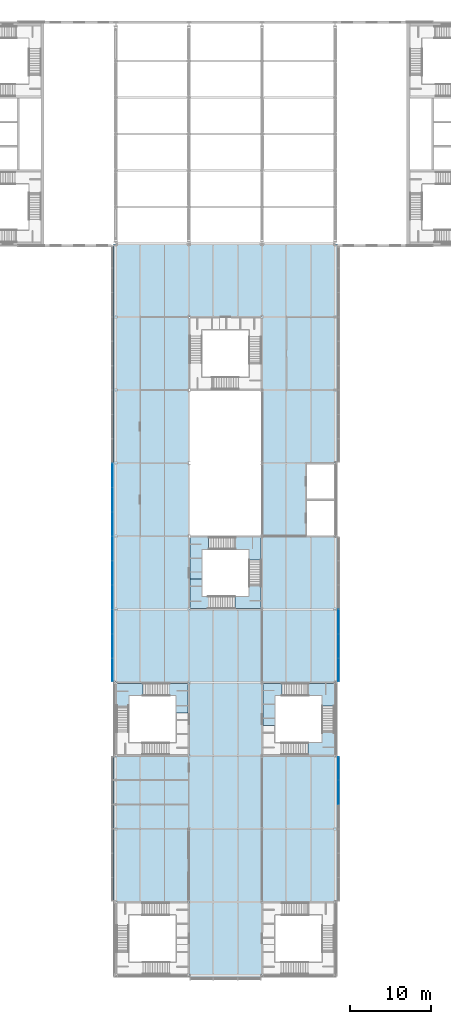
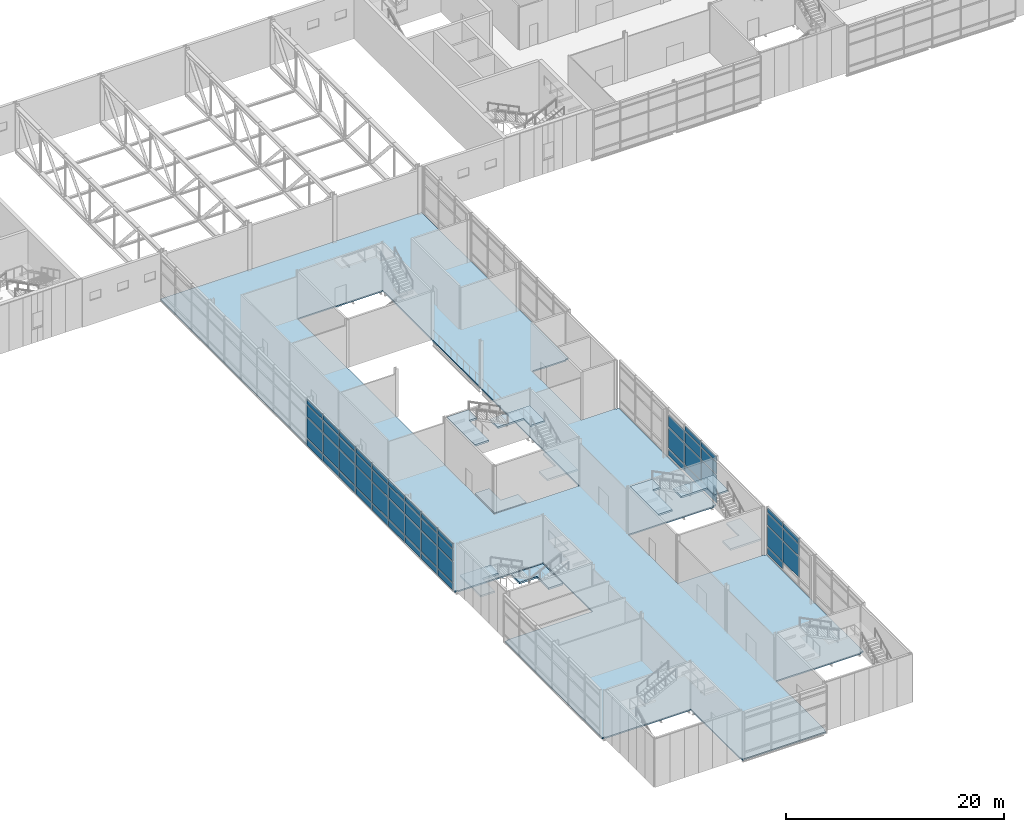
# One storey, part 29 of 53: 54 plates, 10 slabs, 6 elements without a shape of their own.
"""IFC4 building model written with IfcOpenShell, lengths in metres."""

from ifc_helpers import new_model, si_unit, direction, frame, origin, origin_2d, place, context, subcontext, project, spatial, polyline, rectangle, outline, extrude, material, layer, layer_set, type_object, element, aggregate, save


model = new_model("IFC4")

# Units and contexts
model_context = context("Model", 3, precision=1e-05, world=origin(), true_north=direction((0.0, 1.0)))
body_context = subcontext(model_context, "Body", "Model", "MODEL_VIEW")
ifc_project = project(units=[si_unit("LENGTHUNIT", "METRE"), si_unit("AREAUNIT", "SQUARE_METRE"), si_unit("VOLUMEUNIT", "CUBIC_METRE"), si_unit("PLANEANGLEUNIT", "RADIAN"), si_unit("MASSUNIT", "GRAM", prefix="KILO")], contexts=[model_context])

# Site, building, storey
site_placement = place(None, origin())
site = spatial("IfcSite", under=ifc_project, at=site_placement, CompositionType="ELEMENT")
building_placement = place(site_placement, origin())
building = spatial("IfcBuilding", under=site, at=building_placement, Name="Azimuth Sports and Learning Centre", CompositionType="ELEMENT")
storey_placement = place(building_placement, frame((0.0, 0.0, 10.800048828125)))
storey = spatial("IfcBuildingStorey", under=building, at=storey_placement, Name="L02", CompositionType="ELEMENT", Elevation=10.800048828125)

# Slab
ifc_material_1 = material(Name="Concrete C30/37", Category="concrete")
ifc_layer_1 = layer(ifc_material_1, 0.14990234375)
ifc_layer_set_1 = layer_set([ifc_layer_1], Name="Concrete C30/37")
slab_type_1 = type_object("IfcSlabType", Name="Composite floor slab 150", PredefinedType="FLOOR", material=ifc_layer_set_1)
slab_1_placement = place(storey_placement, frame((0.0, 0.0, -0.150146484375)))
element("IfcSlab", 1, at=slab_1_placement, inside=storey, type_object=slab_type_1, Name="Slab STEM L02", PredefinedType="FLOOR", context=body_context, shape_type="SweptSolid", body=[
    extrude(outline(polyline([(81.10009765625, -0.300048828125), (89.89990234375, -0.300048828125), (89.89990234375, 0.0), (90.0, 0.0), (90.0, 9.0), (99.0, 9.0), (99.0, 9.10009765625), (99.300048828125, 9.10009765625), (99.300048828125, 26.89990234375), (99.0, 26.89990234375), (99.0, 27.0), (90.0, 27.0), (90.0, 36.0), (99.0, 36.0), (99.0, 36.10009765625), (99.300048828125, 36.10009765625), (99.300048828125, 53.89990234375), (99.0, 53.89990234375), (99.0, 54.0), (95.39990234375, 54.0), (95.39990234375, 63.0), (99.0, 63.0), (99.0, 63.10009765625), (99.300048828125, 63.10009765625), (99.300048828125, 90.0), (71.699951171875, 90.0), (71.699951171875, 36.10009765625), (72.0, 36.10009765625), (72.0, 36.0), (81.0, 36.0), (81.0, 27.0), (72.0, 27.0), (72.0, 26.89990234375), (71.699951171875, 26.89990234375), (71.699951171875, 9.10009765625), (72.0, 9.10009765625), (72.0, 9.0), (81.0, 9.0), (81.0, 0.0), (81.10009765625, 0.0), (81.10009765625, -0.300048828125)]), holes=[polyline([(81.0, 45.0), (81.0, 81.0), (90.0, 81.0), (90.0, 45.0), (81.0, 45.0)])]), origin(), (0.0, 0.0, 1.0), 0.150146484375),
])

# Stair, slabs
ifc_material_2 = material(Name="Concrete C32/40", Category="concrete")
stair_type = type_object("IfcStairType", Name="Square-well stair stem cell 5400 storey", PredefinedType="THREE_QUARTER_TURN_STAIR", material=ifc_material_2)
stair_1_placement = place(storey_placement, origin())
stair_1 = element("IfcStair", 2, at=stair_1_placement, inside=storey, type_object=stair_type, Name="Stair ST3 L02-L03", PredefinedType="THREE_QUARTER_TURN_STAIR")
ifc_material_3 = material(Name="Concrete C32/40", Category="concrete")
ifc_layer_2 = layer(ifc_material_3, 0.199951171875)
ifc_layer_set_2 = layer_set([ifc_layer_2], Name="Concrete C32/40")
slab_type_2 = type_object("IfcSlabType", Name="Concrete stair landing", PredefinedType="LANDING", material=ifc_layer_set_2)
slab_2_placement = place(storey_placement, frame((0.0, 0.0, -0.199951171875)))
slab_2 = element("IfcSlab", 3, at=slab_2_placement, type_object=slab_type_2, Name="Stair ST3 L02 landing 1", PredefinedType="LANDING", context=body_context, shape_type="SweptSolid", body=[
    extrude(outline(polyline([(77.5400390625, 34.389892578125), (79.389892578125, 34.389892578125), (79.389892578125, 32.25), (80.889892578125, 32.25), (80.889892578125, 35.889892578125), (77.5400390625, 35.889892578125), (77.5400390625, 34.389892578125)])), origin(), (0.0, 0.0, 1.0), 0.199951171875),
])
slab_3_placement = place(storey_placement, frame((0.0, 0.0, 1.599853515625)))
slab_3 = element("IfcSlab", 4, at=slab_3_placement, type_object=slab_type_2, Name="Stair ST3 L02 landing 2", PredefinedType="LANDING", context=body_context, shape_type="SweptSolid", body=[
    extrude(outline(polyline([(73.610107421875, 34.389892578125), (75.3408203125, 34.389892578125), (75.3408203125, 35.889892578125), (72.110107421875, 35.889892578125), (72.110107421875, 32.090087890625), (73.610107421875, 32.090087890625), (73.610107421875, 34.389892578125)])), origin(), (0.0, 0.0, 1.0), 0.2001953125),
])
aggregate(stair_1, [slab_2, slab_3])

stair_2_placement = place(storey_placement, origin())
stair_2 = element("IfcStair", 5, at=stair_2_placement, inside=storey, type_object=stair_type, Name="Stair ST4 L02-L03", PredefinedType="THREE_QUARTER_TURN_STAIR")
slab_4_placement = place(storey_placement, frame((0.0, 0.0, 1.599853515625)))
slab_4 = element("IfcSlab", 6, at=slab_4_placement, type_object=slab_type_2, Name="Stair ST4 L02 landing 2", PredefinedType="LANDING", context=body_context, shape_type="SweptSolid", body=[
    extrude(outline(polyline([(97.389892578125, 28.610107421875), (95.6591796875, 28.610107421875), (95.6591796875, 27.110107421875), (98.889892578125, 27.110107421875), (98.889892578125, 30.909912109375), (97.389892578125, 30.909912109375), (97.389892578125, 28.610107421875)])), origin(), (0.0, 0.0, 1.0), 0.2001953125),
])
slab_5_placement = place(storey_placement, frame((0.0, 0.0, 3.39990234375)))
slab_5 = element("IfcSlab", 7, at=slab_5_placement, type_object=slab_type_2, Name="Stair ST4 L02 landing 3", PredefinedType="LANDING", context=body_context, shape_type="SweptSolid", body=[
    extrude(outline(polyline([(97.389892578125, 34.389892578125), (97.389892578125, 33.109375), (98.889892578125, 33.109375), (98.889892578125, 35.889892578125), (94.639892578125, 35.889892578125), (94.639892578125, 34.389892578125), (97.389892578125, 34.389892578125)])), origin(), (0.0, 0.0, 1.0), 0.199951171875),
])
slab_6_placement = place(storey_placement, frame((0.0, 0.0, 5.199951171875)))
slab_6 = element("IfcSlab", 8, at=slab_6_placement, type_object=slab_type_2, Name="Stair ST4 L02 landing 4", PredefinedType="LANDING", context=body_context, shape_type="SweptSolid", body=[
    extrude(outline(polyline([(91.610107421875, 34.389892578125), (92.440673828125, 34.389892578125), (92.440673828125, 35.889892578125), (90.110107421875, 35.889892578125), (90.110107421875, 30.75), (91.610107421875, 30.75), (91.610107421875, 34.389892578125)])), origin(), (0.0, 0.0, 1.0), 0.199951171875),
])
aggregate(stair_2, [slab_4, slab_5, slab_6])

stair_3_placement = place(storey_placement, origin())
stair_3 = element("IfcStair", 9, at=stair_3_placement, inside=storey, type_object=stair_type, Name="Stair STC L02-L03", PredefinedType="THREE_QUARTER_TURN_STAIR")
slab_7_placement = place(storey_placement, frame((0.0, 0.0, -0.199951171875)))
slab_7 = element("IfcSlab", 10, at=slab_7_placement, type_object=slab_type_2, Name="Stair STC L02 landing 1", PredefinedType="LANDING", context=body_context, shape_type="SweptSolid", body=[
    extrude(outline(polyline([(84.4599609375, 46.610107421875), (82.610107421875, 46.610107421875), (82.610107421875, 48.75), (81.110107421875, 48.75), (81.110107421875, 45.110107421875), (84.4599609375, 45.110107421875), (84.4599609375, 46.610107421875)])), origin(), (0.0, 0.0, 1.0), 0.199951171875),
])
slab_8_placement = place(storey_placement, frame((0.0, 0.0, 1.599853515625)))
slab_8 = element("IfcSlab", 11, at=slab_8_placement, type_object=slab_type_2, Name="Stair STC L02 landing 2", PredefinedType="LANDING", context=body_context, shape_type="SweptSolid", body=[
    extrude(outline(polyline([(88.389892578125, 46.610107421875), (86.6591796875, 46.610107421875), (86.6591796875, 45.110107421875), (89.889892578125, 45.110107421875), (89.889892578125, 48.909912109375), (88.389892578125, 48.909912109375), (88.389892578125, 46.610107421875)])), origin(), (0.0, 0.0, 1.0), 0.2001953125),
])
slab_9_placement = place(storey_placement, frame((0.0, 0.0, 3.39990234375)))
slab_9 = element("IfcSlab", 12, at=slab_9_placement, type_object=slab_type_2, Name="Stair STC L02 landing 3", PredefinedType="LANDING", context=body_context, shape_type="SweptSolid", body=[
    extrude(outline(polyline([(88.389892578125, 52.389892578125), (88.389892578125, 51.109375), (89.889892578125, 51.109375), (89.889892578125, 53.889892578125), (85.639892578125, 53.889892578125), (85.639892578125, 52.389892578125), (88.389892578125, 52.389892578125)])), origin(), (0.0, 0.0, 1.0), 0.199951171875),
])
slab_10_placement = place(storey_placement, frame((0.0, 0.0, 5.199951171875)))
slab_10 = element("IfcSlab", 13, at=slab_10_placement, type_object=slab_type_2, Name="Stair STC L02 landing 4", PredefinedType="LANDING", context=body_context, shape_type="SweptSolid", body=[
    extrude(outline(polyline([(82.610107421875, 52.389892578125), (83.440673828125, 52.389892578125), (83.440673828125, 53.889892578125), (81.110107421875, 53.889892578125), (81.110107421875, 48.75), (82.610107421875, 48.75), (82.610107421875, 52.389892578125)])), origin(), (0.0, 0.0, 1.0), 0.199951171875),
])
aggregate(stair_3, [slab_7, slab_8, slab_9, slab_10])

# Curtain wall, plates
ifc_material_4 = material(Name="Aluminium and glass", Category="aluminium")
curtain_wall_type = type_object("IfcCurtainWallType", Name="Curtain wall podium stem 240", PredefinedType="NOTDEFINED", material=ifc_material_4)
curtain_wall_1_placement = place(storey_placement, origin())
curtain_wall_1 = element("IfcCurtainWall", 14, at=curtain_wall_1_placement, inside=storey, type_object=curtain_wall_type, Name="Curtain wall CW02-003", PredefinedType="NOTDEFINED")
ifc_material_5 = material(Name="Insulated aluminium panel", Category="aluminium")
ifc_layer_3 = layer(ifc_material_5, 0.06005859375)
ifc_layer_set_3 = layer_set([ifc_layer_3], Name="Insulated aluminium panel")
plate_type_1 = type_object("IfcPlateType", Name="Spandrel panel 60 mm", PredefinedType="CURTAIN_PANEL", material=ifc_layer_set_3)
plate_1_placement = place(storey_placement, frame((71.580078125, 61.5, 0.1201171875), z_axis=(0.0, 0.0, 1.0), x_axis=(0.0, -1.0, 0.0)))
plate_1 = element("IfcPlate", 15, at=plate_1_placement, type_object=plate_type_1, Name="CW02-003 panel 10.1", PredefinedType="CURTAIN_PANEL", context=body_context, shape_type="SweptSolid", body=[
    extrude(rectangle(XDim=2.919921875, YDim=0.06005859375, at=origin_2d()), origin(), (0.0, 0.0, 1.0), 0.719970703125),
])
plate_2_placement = place(storey_placement, frame((71.580078125, 61.5, 4.760009765625), z_axis=(0.0, 0.0, 1.0), x_axis=(0.0, -1.0, 0.0)))
plate_2 = element("IfcPlate", 16, at=plate_2_placement, type_object=plate_type_1, Name="CW02-003 panel 10.4", PredefinedType="CURTAIN_PANEL", context=body_context, shape_type="SweptSolid", body=[
    extrude(rectangle(XDim=2.919921875, YDim=0.06005859375, at=origin_2d()), origin(), (0.0, 0.0, 1.0), 0.52001953125),
])
plate_3_placement = place(storey_placement, frame((71.580078125, 58.5, 0.1201171875), z_axis=(0.0, 0.0, 1.0), x_axis=(0.0, -1.0, 0.0)))
plate_3 = element("IfcPlate", 17, at=plate_3_placement, type_object=plate_type_1, Name="CW02-003 panel 11.1", PredefinedType="CURTAIN_PANEL", context=body_context, shape_type="SweptSolid", body=[
    extrude(rectangle(XDim=2.919921875, YDim=0.06005859375, at=origin_2d()), origin(), (0.0, 0.0, 1.0), 0.719970703125),
])
plate_4_placement = place(storey_placement, frame((71.580078125, 58.5, 4.760009765625), z_axis=(0.0, 0.0, 1.0), x_axis=(0.0, -1.0, 0.0)))
plate_4 = element("IfcPlate", 18, at=plate_4_placement, type_object=plate_type_1, Name="CW02-003 panel 11.4", PredefinedType="CURTAIN_PANEL", context=body_context, shape_type="SweptSolid", body=[
    extrude(rectangle(XDim=2.919921875, YDim=0.06005859375, at=origin_2d()), origin(), (0.0, 0.0, 1.0), 0.52001953125),
])
plate_5_placement = place(storey_placement, frame((71.580078125, 55.5, 0.1201171875), z_axis=(0.0, 0.0, 1.0), x_axis=(0.0, -1.0, 0.0)))
plate_5 = element("IfcPlate", 19, at=plate_5_placement, type_object=plate_type_1, Name="CW02-003 panel 12.1", PredefinedType="CURTAIN_PANEL", context=body_context, shape_type="SweptSolid", body=[
    extrude(rectangle(XDim=2.919921875, YDim=0.06005859375, at=origin_2d()), origin(), (0.0, 0.0, 1.0), 0.719970703125),
])
plate_6_placement = place(storey_placement, frame((71.580078125, 55.5, 4.760009765625), z_axis=(0.0, 0.0, 1.0), x_axis=(0.0, -1.0, 0.0)))
plate_6 = element("IfcPlate", 20, at=plate_6_placement, type_object=plate_type_1, Name="CW02-003 panel 12.4", PredefinedType="CURTAIN_PANEL", context=body_context, shape_type="SweptSolid", body=[
    extrude(rectangle(XDim=2.919921875, YDim=0.06005859375, at=origin_2d()), origin(), (0.0, 0.0, 1.0), 0.52001953125),
])
plate_7_placement = place(storey_placement, frame((71.580078125, 52.5, 0.1201171875), z_axis=(0.0, 0.0, 1.0), x_axis=(0.0, -1.0, 0.0)))
plate_7 = element("IfcPlate", 21, at=plate_7_placement, type_object=plate_type_1, Name="CW02-003 panel 13.1", PredefinedType="CURTAIN_PANEL", context=body_context, shape_type="SweptSolid", body=[
    extrude(rectangle(XDim=2.919921875, YDim=0.06005859375, at=origin_2d()), origin(), (0.0, 0.0, 1.0), 0.719970703125),
])
plate_8_placement = place(storey_placement, frame((71.580078125, 52.5, 4.760009765625), z_axis=(0.0, 0.0, 1.0), x_axis=(0.0, -1.0, 0.0)))
plate_8 = element("IfcPlate", 22, at=plate_8_placement, type_object=plate_type_1, Name="CW02-003 panel 13.4", PredefinedType="CURTAIN_PANEL", context=body_context, shape_type="SweptSolid", body=[
    extrude(rectangle(XDim=2.919921875, YDim=0.06005859375, at=origin_2d()), origin(), (0.0, 0.0, 1.0), 0.52001953125),
])
plate_9_placement = place(storey_placement, frame((71.580078125, 49.5, 0.1201171875), z_axis=(0.0, 0.0, 1.0), x_axis=(0.0, -1.0, 0.0)))
plate_9 = element("IfcPlate", 23, at=plate_9_placement, type_object=plate_type_1, Name="CW02-003 panel 14.1", PredefinedType="CURTAIN_PANEL", context=body_context, shape_type="SweptSolid", body=[
    extrude(rectangle(XDim=2.919921875, YDim=0.06005859375, at=origin_2d()), origin(), (0.0, 0.0, 1.0), 0.719970703125),
])
plate_10_placement = place(storey_placement, frame((71.580078125, 49.5, 4.760009765625), z_axis=(0.0, 0.0, 1.0), x_axis=(0.0, -1.0, 0.0)))
plate_10 = element("IfcPlate", 24, at=plate_10_placement, type_object=plate_type_1, Name="CW02-003 panel 14.4", PredefinedType="CURTAIN_PANEL", context=body_context, shape_type="SweptSolid", body=[
    extrude(rectangle(XDim=2.919921875, YDim=0.06005859375, at=origin_2d()), origin(), (0.0, 0.0, 1.0), 0.52001953125),
])
plate_11_placement = place(storey_placement, frame((71.580078125, 46.5, 0.1201171875), z_axis=(0.0, 0.0, 1.0), x_axis=(0.0, -1.0, 0.0)))
plate_11 = element("IfcPlate", 25, at=plate_11_placement, type_object=plate_type_1, Name="CW02-003 panel 15.1", PredefinedType="CURTAIN_PANEL", context=body_context, shape_type="SweptSolid", body=[
    extrude(rectangle(XDim=2.919921875, YDim=0.06005859375, at=origin_2d()), origin(), (0.0, 0.0, 1.0), 0.719970703125),
])
plate_12_placement = place(storey_placement, frame((71.580078125, 46.5, 4.760009765625), z_axis=(0.0, 0.0, 1.0), x_axis=(0.0, -1.0, 0.0)))
plate_12 = element("IfcPlate", 26, at=plate_12_placement, type_object=plate_type_1, Name="CW02-003 panel 15.4", PredefinedType="CURTAIN_PANEL", context=body_context, shape_type="SweptSolid", body=[
    extrude(rectangle(XDim=2.919921875, YDim=0.06005859375, at=origin_2d()), origin(), (0.0, 0.0, 1.0), 0.52001953125),
])
plate_13_placement = place(storey_placement, frame((71.580078125, 43.5, 0.1201171875), z_axis=(0.0, 0.0, 1.0), x_axis=(0.0, -1.0, 0.0)))
plate_13 = element("IfcPlate", 27, at=plate_13_placement, type_object=plate_type_1, Name="CW02-003 panel 16.1", PredefinedType="CURTAIN_PANEL", context=body_context, shape_type="SweptSolid", body=[
    extrude(rectangle(XDim=2.919921875, YDim=0.06005859375, at=origin_2d()), origin(), (0.0, 0.0, 1.0), 0.719970703125),
])
plate_14_placement = place(storey_placement, frame((71.580078125, 43.5, 4.760009765625), z_axis=(0.0, 0.0, 1.0), x_axis=(0.0, -1.0, 0.0)))
plate_14 = element("IfcPlate", 28, at=plate_14_placement, type_object=plate_type_1, Name="CW02-003 panel 16.4", PredefinedType="CURTAIN_PANEL", context=body_context, shape_type="SweptSolid", body=[
    extrude(rectangle(XDim=2.919921875, YDim=0.06005859375, at=origin_2d()), origin(), (0.0, 0.0, 1.0), 0.52001953125),
])
plate_15_placement = place(storey_placement, frame((71.580078125, 40.5, 0.1201171875), z_axis=(0.0, 0.0, 1.0), x_axis=(0.0, -1.0, 0.0)))
plate_15 = element("IfcPlate", 29, at=plate_15_placement, type_object=plate_type_1, Name="CW02-003 panel 17.1", PredefinedType="CURTAIN_PANEL", context=body_context, shape_type="SweptSolid", body=[
    extrude(rectangle(XDim=2.919921875, YDim=0.06005859375, at=origin_2d()), origin(), (0.0, 0.0, 1.0), 0.719970703125),
])
plate_16_placement = place(storey_placement, frame((71.580078125, 40.5, 4.760009765625), z_axis=(0.0, 0.0, 1.0), x_axis=(0.0, -1.0, 0.0)))
plate_16 = element("IfcPlate", 30, at=plate_16_placement, type_object=plate_type_1, Name="CW02-003 panel 17.4", PredefinedType="CURTAIN_PANEL", context=body_context, shape_type="SweptSolid", body=[
    extrude(rectangle(XDim=2.919921875, YDim=0.06005859375, at=origin_2d()), origin(), (0.0, 0.0, 1.0), 0.52001953125),
])
plate_17_placement = place(storey_placement, frame((71.580078125, 37.570068359375, 0.1201171875), z_axis=(0.0, 0.0, 1.0), x_axis=(0.0, -1.0, 0.0)))
plate_17 = element("IfcPlate", 31, at=plate_17_placement, type_object=plate_type_1, Name="CW02-003 panel 18.1", PredefinedType="CURTAIN_PANEL", context=body_context, shape_type="SweptSolid", body=[
    extrude(rectangle(XDim=2.780029296875, YDim=0.06005859375, at=origin_2d()), origin(), (0.0, 0.0, 1.0), 0.719970703125),
])
plate_18_placement = place(storey_placement, frame((71.580078125, 37.570068359375, 4.760009765625), z_axis=(0.0, 0.0, 1.0), x_axis=(0.0, -1.0, 0.0)))
plate_18 = element("IfcPlate", 32, at=plate_18_placement, type_object=plate_type_1, Name="CW02-003 panel 18.4", PredefinedType="CURTAIN_PANEL", context=body_context, shape_type="SweptSolid", body=[
    extrude(rectangle(XDim=2.780029296875, YDim=0.06005859375, at=origin_2d()), origin(), (0.0, 0.0, 1.0), 0.52001953125),
])

curtain_wall_2_placement = place(storey_placement, origin())
curtain_wall_2 = element("IfcCurtainWall", 33, at=curtain_wall_2_placement, inside=storey, type_object=curtain_wall_type, Name="Curtain wall CW02-006", PredefinedType="NOTDEFINED")
plate_19_placement = place(storey_placement, frame((99.419921875, 22.5, 4.760009765625), z_axis=(0.0, 0.0, 1.0), x_axis=(0.0, 1.0, 0.0)))
plate_19 = element("IfcPlate", 34, at=plate_19_placement, type_object=plate_type_1, Name="CW02-006 panel 5.4", PredefinedType="CURTAIN_PANEL", context=body_context, shape_type="SweptSolid", body=[
    extrude(rectangle(XDim=2.919921875, YDim=0.06005859375, at=origin_2d()), origin(), (0.0, 0.0, 1.0), 0.52001953125),
])
plate_20_placement = place(storey_placement, frame((99.419921875, 25.429931640625, 0.1201171875), z_axis=(0.0, 0.0, 1.0), x_axis=(0.0, 1.0, 0.0)))
plate_20 = element("IfcPlate", 35, at=plate_20_placement, type_object=plate_type_1, Name="CW02-006 panel 6.1", PredefinedType="CURTAIN_PANEL", context=body_context, shape_type="SweptSolid", body=[
    extrude(rectangle(XDim=2.780029296875, YDim=0.06005859375, at=origin_2d()), origin(), (0.0, 0.0, 1.0), 0.719970703125),
])
plate_21_placement = place(storey_placement, frame((99.419921875, 25.429931640625, 4.760009765625), z_axis=(0.0, 0.0, 1.0), x_axis=(0.0, 1.0, 0.0)))
plate_21 = element("IfcPlate", 36, at=plate_21_placement, type_object=plate_type_1, Name="CW02-006 panel 6.4", PredefinedType="CURTAIN_PANEL", context=body_context, shape_type="SweptSolid", body=[
    extrude(rectangle(XDim=2.780029296875, YDim=0.06005859375, at=origin_2d()), origin(), (0.0, 0.0, 1.0), 0.52001953125),
])

curtain_wall_3_placement = place(storey_placement, origin())
curtain_wall_3 = element("IfcCurtainWall", 37, at=curtain_wall_3_placement, inside=storey, type_object=curtain_wall_type, Name="Curtain wall CW02-007", PredefinedType="NOTDEFINED")
plate_22_placement = place(storey_placement, frame((99.419921875, 37.570068359375, 0.1201171875), z_axis=(0.0, 0.0, 1.0), x_axis=(0.0, 1.0, 0.0)))
plate_22 = element("IfcPlate", 38, at=plate_22_placement, type_object=plate_type_1, Name="CW02-007 panel 1.1", PredefinedType="CURTAIN_PANEL", context=body_context, shape_type="SweptSolid", body=[
    extrude(rectangle(XDim=2.780029296875, YDim=0.06005859375, at=origin_2d()), origin(), (0.0, 0.0, 1.0), 0.719970703125),
])
plate_23_placement = place(storey_placement, frame((99.419921875, 37.570068359375, 4.760009765625), z_axis=(0.0, 0.0, 1.0), x_axis=(0.0, 1.0, 0.0)))
plate_23 = element("IfcPlate", 39, at=plate_23_placement, type_object=plate_type_1, Name="CW02-007 panel 1.4", PredefinedType="CURTAIN_PANEL", context=body_context, shape_type="SweptSolid", body=[
    extrude(rectangle(XDim=2.780029296875, YDim=0.06005859375, at=origin_2d()), origin(), (0.0, 0.0, 1.0), 0.52001953125),
])
plate_24_placement = place(storey_placement, frame((99.419921875, 40.5, 0.1201171875), z_axis=(0.0, 0.0, 1.0), x_axis=(0.0, 1.0, 0.0)))
plate_24 = element("IfcPlate", 40, at=plate_24_placement, type_object=plate_type_1, Name="CW02-007 panel 2.1", PredefinedType="CURTAIN_PANEL", context=body_context, shape_type="SweptSolid", body=[
    extrude(rectangle(XDim=2.919921875, YDim=0.06005859375, at=origin_2d()), origin(), (0.0, 0.0, 1.0), 0.719970703125),
])
plate_25_placement = place(storey_placement, frame((99.419921875, 40.5, 4.760009765625), z_axis=(0.0, 0.0, 1.0), x_axis=(0.0, 1.0, 0.0)))
plate_25 = element("IfcPlate", 41, at=plate_25_placement, type_object=plate_type_1, Name="CW02-007 panel 2.4", PredefinedType="CURTAIN_PANEL", context=body_context, shape_type="SweptSolid", body=[
    extrude(rectangle(XDim=2.919921875, YDim=0.06005859375, at=origin_2d()), origin(), (0.0, 0.0, 1.0), 0.52001953125),
])
plate_26_placement = place(storey_placement, frame((99.419921875, 43.5, 0.1201171875), z_axis=(0.0, 0.0, 1.0), x_axis=(0.0, 1.0, 0.0)))
plate_26 = element("IfcPlate", 42, at=plate_26_placement, type_object=plate_type_1, Name="CW02-007 panel 3.1", PredefinedType="CURTAIN_PANEL", context=body_context, shape_type="SweptSolid", body=[
    extrude(rectangle(XDim=2.919921875, YDim=0.06005859375, at=origin_2d()), origin(), (0.0, 0.0, 1.0), 0.719970703125),
])

# Plate
ifc_material_6 = material(Name="Glass", Category="glass")
ifc_layer_4 = layer(ifc_material_6, 0.0439453125)
ifc_layer_set_4 = layer_set([ifc_layer_4], Name="Glass")
plate_type_2 = type_object("IfcPlateType", Name="Vision glass 44 mm", PredefinedType="CURTAIN_PANEL", material=ifc_layer_set_4)
plate_27_placement = place(storey_placement, frame((71.580078125, 61.5, 0.9599609375), z_axis=(0.0, 0.0, 1.0), x_axis=(0.0, -1.0, 0.0)))
plate_27 = element("IfcPlate", 43, at=plate_27_placement, type_object=plate_type_2, Name="CW02-003 panel 10.2", PredefinedType="CURTAIN_PANEL", context=body_context, shape_type="SweptSolid", body=[
    extrude(rectangle(XDim=2.919921875, YDim=0.0439453125, at=origin_2d()), origin(), (0.0, 0.0, 1.0), 2.280029296875),
])

plate_28_placement = place(storey_placement, frame((71.580078125, 61.5, 3.35986328125), z_axis=(0.0, 0.0, 1.0), x_axis=(0.0, -1.0, 0.0)))
plate_28 = element("IfcPlate", 44, at=plate_28_placement, type_object=plate_type_2, Name="CW02-003 panel 10.3", PredefinedType="CURTAIN_PANEL", context=body_context, shape_type="SweptSolid", body=[
    extrude(rectangle(XDim=2.919921875, YDim=0.0439453125, at=origin_2d()), origin(), (0.0, 0.0, 1.0), 1.280029296875),
])

plate_29_placement = place(storey_placement, frame((71.580078125, 58.5, 0.9599609375), z_axis=(0.0, 0.0, 1.0), x_axis=(0.0, -1.0, 0.0)))
plate_29 = element("IfcPlate", 45, at=plate_29_placement, type_object=plate_type_2, Name="CW02-003 panel 11.2", PredefinedType="CURTAIN_PANEL", context=body_context, shape_type="SweptSolid", body=[
    extrude(rectangle(XDim=2.919921875, YDim=0.0439453125, at=origin_2d()), origin(), (0.0, 0.0, 1.0), 2.280029296875),
])

plate_30_placement = place(storey_placement, frame((71.580078125, 58.5, 3.35986328125), z_axis=(0.0, 0.0, 1.0), x_axis=(0.0, -1.0, 0.0)))
plate_30 = element("IfcPlate", 46, at=plate_30_placement, type_object=plate_type_2, Name="CW02-003 panel 11.3", PredefinedType="CURTAIN_PANEL", context=body_context, shape_type="SweptSolid", body=[
    extrude(rectangle(XDim=2.919921875, YDim=0.0439453125, at=origin_2d()), origin(), (0.0, 0.0, 1.0), 1.280029296875),
])

plate_31_placement = place(storey_placement, frame((71.580078125, 55.5, 0.9599609375), z_axis=(0.0, 0.0, 1.0), x_axis=(0.0, -1.0, 0.0)))
plate_31 = element("IfcPlate", 47, at=plate_31_placement, type_object=plate_type_2, Name="CW02-003 panel 12.2", PredefinedType="CURTAIN_PANEL", context=body_context, shape_type="SweptSolid", body=[
    extrude(rectangle(XDim=2.919921875, YDim=0.0439453125, at=origin_2d()), origin(), (0.0, 0.0, 1.0), 2.280029296875),
])

plate_32_placement = place(storey_placement, frame((71.580078125, 55.5, 3.35986328125), z_axis=(0.0, 0.0, 1.0), x_axis=(0.0, -1.0, 0.0)))
plate_32 = element("IfcPlate", 48, at=plate_32_placement, type_object=plate_type_2, Name="CW02-003 panel 12.3", PredefinedType="CURTAIN_PANEL", context=body_context, shape_type="SweptSolid", body=[
    extrude(rectangle(XDim=2.919921875, YDim=0.0439453125, at=origin_2d()), origin(), (0.0, 0.0, 1.0), 1.280029296875),
])

plate_33_placement = place(storey_placement, frame((71.580078125, 52.5, 0.9599609375), z_axis=(0.0, 0.0, 1.0), x_axis=(0.0, -1.0, 0.0)))
plate_33 = element("IfcPlate", 49, at=plate_33_placement, type_object=plate_type_2, Name="CW02-003 panel 13.2", PredefinedType="CURTAIN_PANEL", context=body_context, shape_type="SweptSolid", body=[
    extrude(rectangle(XDim=2.919921875, YDim=0.0439453125, at=origin_2d()), origin(), (0.0, 0.0, 1.0), 2.280029296875),
])

plate_34_placement = place(storey_placement, frame((71.580078125, 52.5, 3.35986328125), z_axis=(0.0, 0.0, 1.0), x_axis=(0.0, -1.0, 0.0)))
plate_34 = element("IfcPlate", 50, at=plate_34_placement, type_object=plate_type_2, Name="CW02-003 panel 13.3", PredefinedType="CURTAIN_PANEL", context=body_context, shape_type="SweptSolid", body=[
    extrude(rectangle(XDim=2.919921875, YDim=0.0439453125, at=origin_2d()), origin(), (0.0, 0.0, 1.0), 1.280029296875),
])

plate_35_placement = place(storey_placement, frame((71.580078125, 49.5, 0.9599609375), z_axis=(0.0, 0.0, 1.0), x_axis=(0.0, -1.0, 0.0)))
plate_35 = element("IfcPlate", 51, at=plate_35_placement, type_object=plate_type_2, Name="CW02-003 panel 14.2", PredefinedType="CURTAIN_PANEL", context=body_context, shape_type="SweptSolid", body=[
    extrude(rectangle(XDim=2.919921875, YDim=0.0439453125, at=origin_2d()), origin(), (0.0, 0.0, 1.0), 2.280029296875),
])

plate_36_placement = place(storey_placement, frame((71.580078125, 49.5, 3.35986328125), z_axis=(0.0, 0.0, 1.0), x_axis=(0.0, -1.0, 0.0)))
plate_36 = element("IfcPlate", 52, at=plate_36_placement, type_object=plate_type_2, Name="CW02-003 panel 14.3", PredefinedType="CURTAIN_PANEL", context=body_context, shape_type="SweptSolid", body=[
    extrude(rectangle(XDim=2.919921875, YDim=0.0439453125, at=origin_2d()), origin(), (0.0, 0.0, 1.0), 1.280029296875),
])

plate_37_placement = place(storey_placement, frame((71.580078125, 46.5, 0.9599609375), z_axis=(0.0, 0.0, 1.0), x_axis=(0.0, -1.0, 0.0)))
plate_37 = element("IfcPlate", 53, at=plate_37_placement, type_object=plate_type_2, Name="CW02-003 panel 15.2", PredefinedType="CURTAIN_PANEL", context=body_context, shape_type="SweptSolid", body=[
    extrude(rectangle(XDim=2.919921875, YDim=0.0439453125, at=origin_2d()), origin(), (0.0, 0.0, 1.0), 2.280029296875),
])

plate_38_placement = place(storey_placement, frame((71.580078125, 46.5, 3.35986328125), z_axis=(0.0, 0.0, 1.0), x_axis=(0.0, -1.0, 0.0)))
plate_38 = element("IfcPlate", 54, at=plate_38_placement, type_object=plate_type_2, Name="CW02-003 panel 15.3", PredefinedType="CURTAIN_PANEL", context=body_context, shape_type="SweptSolid", body=[
    extrude(rectangle(XDim=2.919921875, YDim=0.0439453125, at=origin_2d()), origin(), (0.0, 0.0, 1.0), 1.280029296875),
])

plate_39_placement = place(storey_placement, frame((71.580078125, 43.5, 0.9599609375), z_axis=(0.0, 0.0, 1.0), x_axis=(0.0, -1.0, 0.0)))
plate_39 = element("IfcPlate", 55, at=plate_39_placement, type_object=plate_type_2, Name="CW02-003 panel 16.2", PredefinedType="CURTAIN_PANEL", context=body_context, shape_type="SweptSolid", body=[
    extrude(rectangle(XDim=2.919921875, YDim=0.0439453125, at=origin_2d()), origin(), (0.0, 0.0, 1.0), 2.280029296875),
])

plate_40_placement = place(storey_placement, frame((71.580078125, 43.5, 3.35986328125), z_axis=(0.0, 0.0, 1.0), x_axis=(0.0, -1.0, 0.0)))
plate_40 = element("IfcPlate", 56, at=plate_40_placement, type_object=plate_type_2, Name="CW02-003 panel 16.3", PredefinedType="CURTAIN_PANEL", context=body_context, shape_type="SweptSolid", body=[
    extrude(rectangle(XDim=2.919921875, YDim=0.0439453125, at=origin_2d()), origin(), (0.0, 0.0, 1.0), 1.280029296875),
])

plate_41_placement = place(storey_placement, frame((71.580078125, 40.5, 0.9599609375), z_axis=(0.0, 0.0, 1.0), x_axis=(0.0, -1.0, 0.0)))
plate_41 = element("IfcPlate", 57, at=plate_41_placement, type_object=plate_type_2, Name="CW02-003 panel 17.2", PredefinedType="CURTAIN_PANEL", context=body_context, shape_type="SweptSolid", body=[
    extrude(rectangle(XDim=2.919921875, YDim=0.0439453125, at=origin_2d()), origin(), (0.0, 0.0, 1.0), 2.280029296875),
])

plate_42_placement = place(storey_placement, frame((71.580078125, 40.5, 3.35986328125), z_axis=(0.0, 0.0, 1.0), x_axis=(0.0, -1.0, 0.0)))
plate_42 = element("IfcPlate", 58, at=plate_42_placement, type_object=plate_type_2, Name="CW02-003 panel 17.3", PredefinedType="CURTAIN_PANEL", context=body_context, shape_type="SweptSolid", body=[
    extrude(rectangle(XDim=2.919921875, YDim=0.0439453125, at=origin_2d()), origin(), (0.0, 0.0, 1.0), 1.280029296875),
])

plate_43_placement = place(storey_placement, frame((71.580078125, 37.570068359375, 0.9599609375), z_axis=(0.0, 0.0, 1.0), x_axis=(0.0, -1.0, 0.0)))
plate_43 = element("IfcPlate", 59, at=plate_43_placement, type_object=plate_type_2, Name="CW02-003 panel 18.2", PredefinedType="CURTAIN_PANEL", context=body_context, shape_type="SweptSolid", body=[
    extrude(rectangle(XDim=2.780029296875, YDim=0.0439453125, at=origin_2d()), origin(), (0.0, 0.0, 1.0), 2.280029296875),
])

plate_44_placement = place(storey_placement, frame((71.580078125, 37.570068359375, 3.35986328125), z_axis=(0.0, 0.0, 1.0), x_axis=(0.0, -1.0, 0.0)))
plate_44 = element("IfcPlate", 60, at=plate_44_placement, type_object=plate_type_2, Name="CW02-003 panel 18.3", PredefinedType="CURTAIN_PANEL", context=body_context, shape_type="SweptSolid", body=[
    extrude(rectangle(XDim=2.780029296875, YDim=0.0439453125, at=origin_2d()), origin(), (0.0, 0.0, 1.0), 1.280029296875),
])

aggregate(curtain_wall_1, [plate_1, plate_27, plate_28, plate_2, plate_3, plate_29, plate_30, plate_4, plate_5, plate_31, plate_32, plate_6, plate_7, plate_33, plate_34, plate_8, plate_9, plate_35, plate_36, plate_10, plate_11, plate_37, plate_38, plate_12, plate_13, plate_39, plate_40, plate_14, plate_15, plate_41, plate_42, plate_16, plate_17, plate_43, plate_44, plate_18])

plate_45_placement = place(storey_placement, frame((99.419921875, 22.5, 0.9599609375), z_axis=(0.0, 0.0, 1.0), x_axis=(0.0, 1.0, 0.0)))
plate_45 = element("IfcPlate", 61, at=plate_45_placement, type_object=plate_type_2, Name="CW02-006 panel 5.2", PredefinedType="CURTAIN_PANEL", context=body_context, shape_type="SweptSolid", body=[
    extrude(rectangle(XDim=2.919921875, YDim=0.0439453125, at=origin_2d()), origin(), (0.0, 0.0, 1.0), 2.280029296875),
])

plate_46_placement = place(storey_placement, frame((99.419921875, 22.5, 3.35986328125), z_axis=(0.0, 0.0, 1.0), x_axis=(0.0, 1.0, 0.0)))
plate_46 = element("IfcPlate", 62, at=plate_46_placement, type_object=plate_type_2, Name="CW02-006 panel 5.3", PredefinedType="CURTAIN_PANEL", context=body_context, shape_type="SweptSolid", body=[
    extrude(rectangle(XDim=2.919921875, YDim=0.0439453125, at=origin_2d()), origin(), (0.0, 0.0, 1.0), 1.280029296875),
])

plate_47_placement = place(storey_placement, frame((99.419921875, 25.429931640625, 0.9599609375), z_axis=(0.0, 0.0, 1.0), x_axis=(0.0, 1.0, 0.0)))
plate_47 = element("IfcPlate", 63, at=plate_47_placement, type_object=plate_type_2, Name="CW02-006 panel 6.2", PredefinedType="CURTAIN_PANEL", context=body_context, shape_type="SweptSolid", body=[
    extrude(rectangle(XDim=2.780029296875, YDim=0.0439453125, at=origin_2d()), origin(), (0.0, 0.0, 1.0), 2.280029296875),
])

plate_48_placement = place(storey_placement, frame((99.419921875, 25.429931640625, 3.35986328125), z_axis=(0.0, 0.0, 1.0), x_axis=(0.0, 1.0, 0.0)))
plate_48 = element("IfcPlate", 64, at=plate_48_placement, type_object=plate_type_2, Name="CW02-006 panel 6.3", PredefinedType="CURTAIN_PANEL", context=body_context, shape_type="SweptSolid", body=[
    extrude(rectangle(XDim=2.780029296875, YDim=0.0439453125, at=origin_2d()), origin(), (0.0, 0.0, 1.0), 1.280029296875),
])

aggregate(curtain_wall_2, [plate_45, plate_46, plate_19, plate_20, plate_47, plate_48, plate_21])

plate_49_placement = place(storey_placement, frame((99.419921875, 37.570068359375, 0.9599609375), z_axis=(0.0, 0.0, 1.0), x_axis=(0.0, 1.0, 0.0)))
plate_49 = element("IfcPlate", 65, at=plate_49_placement, type_object=plate_type_2, Name="CW02-007 panel 1.2", PredefinedType="CURTAIN_PANEL", context=body_context, shape_type="SweptSolid", body=[
    extrude(rectangle(XDim=2.780029296875, YDim=0.0439453125, at=origin_2d()), origin(), (0.0, 0.0, 1.0), 2.280029296875),
])

plate_50_placement = place(storey_placement, frame((99.419921875, 37.570068359375, 3.35986328125), z_axis=(0.0, 0.0, 1.0), x_axis=(0.0, 1.0, 0.0)))
plate_50 = element("IfcPlate", 66, at=plate_50_placement, type_object=plate_type_2, Name="CW02-007 panel 1.3", PredefinedType="CURTAIN_PANEL", context=body_context, shape_type="SweptSolid", body=[
    extrude(rectangle(XDim=2.780029296875, YDim=0.0439453125, at=origin_2d()), origin(), (0.0, 0.0, 1.0), 1.280029296875),
])

plate_51_placement = place(storey_placement, frame((99.419921875, 40.5, 0.9599609375), z_axis=(0.0, 0.0, 1.0), x_axis=(0.0, 1.0, 0.0)))
plate_51 = element("IfcPlate", 67, at=plate_51_placement, type_object=plate_type_2, Name="CW02-007 panel 2.2", PredefinedType="CURTAIN_PANEL", context=body_context, shape_type="SweptSolid", body=[
    extrude(rectangle(XDim=2.919921875, YDim=0.0439453125, at=origin_2d()), origin(), (0.0, 0.0, 1.0), 2.280029296875),
])

plate_52_placement = place(storey_placement, frame((99.419921875, 40.5, 3.35986328125), z_axis=(0.0, 0.0, 1.0), x_axis=(0.0, 1.0, 0.0)))
plate_52 = element("IfcPlate", 68, at=plate_52_placement, type_object=plate_type_2, Name="CW02-007 panel 2.3", PredefinedType="CURTAIN_PANEL", context=body_context, shape_type="SweptSolid", body=[
    extrude(rectangle(XDim=2.919921875, YDim=0.0439453125, at=origin_2d()), origin(), (0.0, 0.0, 1.0), 1.280029296875),
])

plate_53_placement = place(storey_placement, frame((99.419921875, 43.5, 0.9599609375), z_axis=(0.0, 0.0, 1.0), x_axis=(0.0, 1.0, 0.0)))
plate_53 = element("IfcPlate", 69, at=plate_53_placement, type_object=plate_type_2, Name="CW02-007 panel 3.2", PredefinedType="CURTAIN_PANEL", context=body_context, shape_type="SweptSolid", body=[
    extrude(rectangle(XDim=2.919921875, YDim=0.0439453125, at=origin_2d()), origin(), (0.0, 0.0, 1.0), 2.280029296875),
])

plate_54_placement = place(storey_placement, frame((99.419921875, 43.5, 3.35986328125), z_axis=(0.0, 0.0, 1.0), x_axis=(0.0, 1.0, 0.0)))
plate_54 = element("IfcPlate", 70, at=plate_54_placement, type_object=plate_type_2, Name="CW02-007 panel 3.3", PredefinedType="CURTAIN_PANEL", context=body_context, shape_type="SweptSolid", body=[
    extrude(rectangle(XDim=2.919921875, YDim=0.0439453125, at=origin_2d()), origin(), (0.0, 0.0, 1.0), 1.280029296875),
])

aggregate(curtain_wall_3, [plate_22, plate_49, plate_50, plate_23, plate_24, plate_51, plate_52, plate_25, plate_26, plate_53, plate_54])

save(model, "model.ifc")
